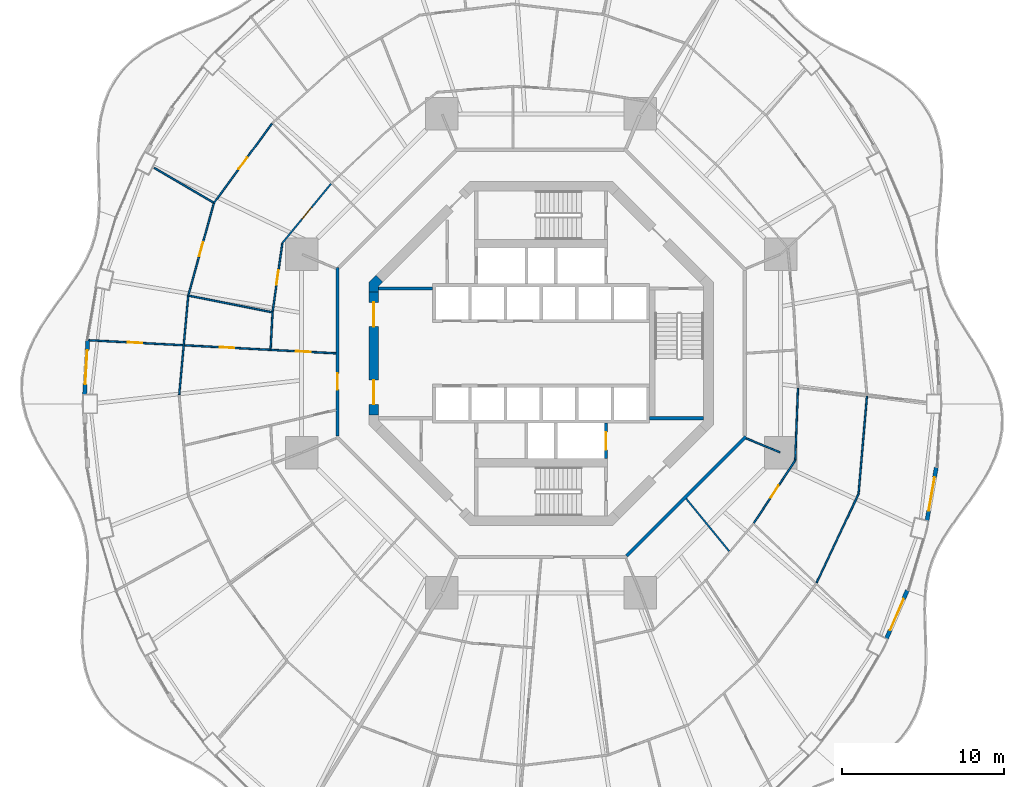
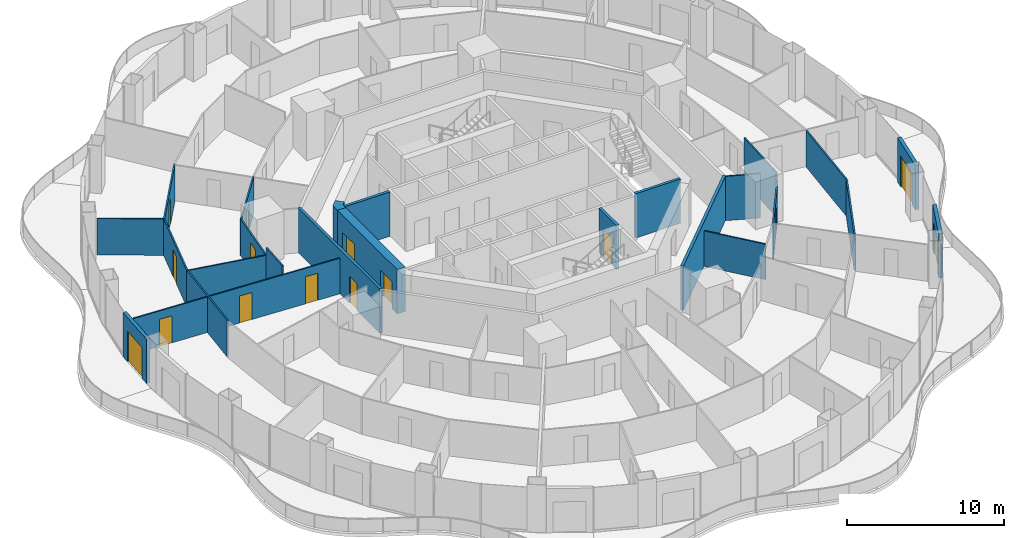
# One storey, part 13 of 19: 25 walls, 15 doors, 15 openings.
"""IFC4 building model written with IfcOpenShell, lengths in metres."""

from ifc_helpers import new_model, si_unit, direction, frame, frame_2d, origin, place, context, subcontext, project, spatial, polyline, rectangle, outline, extrude, material, layer, layer_set, type_object, element, fill, save


model = new_model("IFC4")

# Units and contexts
model_context = context("Model", 3, precision=1e-05, world=origin(), true_north=direction((0.0, 1.0)))
body_context = subcontext(model_context, "Body", "Model", "MODEL_VIEW")
ifc_project = project(units=[si_unit("LENGTHUNIT", "METRE"), si_unit("AREAUNIT", "SQUARE_METRE"), si_unit("VOLUMEUNIT", "CUBIC_METRE"), si_unit("PLANEANGLEUNIT", "RADIAN"), si_unit("MASSUNIT", "GRAM", prefix="KILO")], contexts=[model_context])

# Site, building, storey
site_placement = place(None, origin())
site = spatial("IfcSite", under=ifc_project, at=site_placement, CompositionType="ELEMENT")
building_placement = place(site_placement, origin())
building = spatial("IfcBuilding", under=site, at=building_placement, Name="Nagisa Residences", CompositionType="ELEMENT")
storey_placement = place(building_placement, frame((0.0, 0.0, 149.199951171875)))
storey = spatial("IfcBuildingStorey", under=building, at=storey_placement, Name="L37", CompositionType="ELEMENT", Elevation=149.199951171875)

# Wall, opening, door
ifc_material_1 = material(Name="Gypsum board on steel studs", Category="steel")
ifc_layer_1 = layer(ifc_material_1, 0.199951171875)
ifc_layer_set_1 = layer_set([ifc_layer_1], Name="Apartment entry wall EI60 200")
wall_type_1 = type_object("IfcWallType", Name="Apartment entry wall EI60 200", PredefinedType="PARTITIONING", material=ifc_layer_set_1)
wall_1_placement = place(storey_placement, frame((-12.564697265625, 5.304443359375, 0.0), z_axis=(0.0, 0.0, 1.0), x_axis=(0.0, -1.0, 0.0)))
wall_1 = element("IfcWall", 1, at=wall_1_placement, inside=storey, type_object=wall_type_1, Name="wall:L37:u08", PredefinedType="PARTITIONING", context=body_context, shape_type="SweptSolid", body=[
    extrude(rectangle(XDim=10.408935546875, YDim=0.199951171875, at=frame_2d((5.20458984375, 0.0))), origin(), (0.0, 0.0, 1.0), 3.43994140625),
])
opening_1_placement = place(wall_1_placement, frame((6.539306640625, 0.0, 0.0)))
opening_1 = element("IfcOpeningElement", 2, at=opening_1_placement, cuts=wall_1, Name="Opening L37-U25", PredefinedType="OPENING", context=body_context, shape_type="SweptSolid", body=[
    extrude(rectangle(XDim=1.0, YDim=2.10009765625, at=frame_2d((0.5, 1.050048828125))), frame((0.0, 0.10986328125, 0.0), z_axis=(0.0, -1.0, 0.0), x_axis=(1.0, 0.0, 0.0)), (0.0, 0.0, 1.0), 0.219970703125),
])
ifc_material_2 = material(Name="Timber fire door set", Category="wood")
door_type_1 = type_object("IfcDoorType", Name="Apartment entry door FD30S 1000x2100", OperationType="NOTDEFINED", PredefinedType="DOOR", material=ifc_material_2)
door_1_placement = place(opening_1_placement, frame((1.0, 0.0, 0.0), x_axis=(-1.0, 0.0, 0.0)))
door_1 = element("IfcDoor", 3, at=door_1_placement, inside=storey, type_object=door_type_1, Name="Entry door, Apartment 37B", OperationType="SINGLE_SWING_RIGHT", OverallHeight=2.10009765625, OverallWidth=1.0, PredefinedType="DOOR", context=body_context, shape_type="SweptSolid", body=[
    extrude(rectangle(XDim=1.0, YDim=2.10009765625, at=frame_2d((0.5, 1.050048828125))), frame((0.0, 0.02490234375, 0.0), z_axis=(0.0, -1.0, 0.0), x_axis=(1.0, 0.0, 0.0)), (0.0, 0.0, 1.0), 0.050048828125),
])
fill(opening_1, door_1)

# Walls
wall_2_placement = place(storey_placement, frame((5.275146484375, -12.494140625, 0.0), z_axis=(0.0, 0.0, 1.0), x_axis=(0.707106781187, 0.707106781187, 0.0)))
element("IfcWall", 4, at=wall_2_placement, inside=storey, type_object=wall_type_1, Name="wall:L37:u11", PredefinedType="PARTITIONING", context=body_context, shape_type="SweptSolid", body=[
    extrude(rectangle(XDim=10.4091796875, YDim=0.199951171875, at=frame_2d((5.20458984375, 0.0))), origin(), (0.0, 0.0, 1.0), 3.43994140625),
])
ifc_material_3 = material(Name="Gypsum board on steel studs", Category="steel")
ifc_layer_2 = layer(ifc_material_3, 0.10009765625)
ifc_layer_set_2 = layer_set([ifc_layer_2], Name="Apartment partition 100")
wall_type_2 = type_object("IfcWallType", Name="Apartment partition 100", PredefinedType="PARTITIONING", material=ifc_layer_set_2)
wall_3_placement = place(storey_placement, frame((15.848876953125, -2.158203125, 0.0), z_axis=(0.0, 0.0, 1.0), x_axis=(-0.038390448414, -0.999262815014, 0.0)))
element("IfcWall", 5, at=wall_3_placement, inside=storey, type_object=wall_type_2, Name="wall:L37:u14", PredefinedType="PARTITIONING", context=body_context, shape_type="SweptSolid", body=[
    extrude(rectangle(XDim=4.394287109375, YDim=0.10009765625, at=frame_2d((2.197265625, 0.0))), origin(), (0.0, 0.0, 1.0), 3.43994140625),
])
wall_4_placement = place(storey_placement, frame((20.10595703125, -2.64208984375, 0.0), z_axis=(0.0, 0.0, 1.0), x_axis=(-0.085672025822, -0.996323393277, 0.0)))
element("IfcWall", 6, at=wall_4_placement, inside=storey, type_object=wall_type_2, Name="wall:L37:u16", PredefinedType="PARTITIONING", context=body_context, shape_type="SweptSolid", body=[
    extrude(rectangle(XDim=6.007080078125, YDim=0.10009765625, at=frame_2d((3.00341796875, 0.0))), origin(), (0.0, 0.0, 1.0), 2.828125),
])

# Wall, opening, door
wall_5_placement = place(storey_placement, frame((-12.965087890625, 10.474609375, 0.0), z_axis=(0.0, 0.0, 1.0), x_axis=(-0.634932102074, -0.772567942485, 0.0)))
wall_5 = element("IfcWall", 7, at=wall_5_placement, inside=storey, type_object=wall_type_2, Name="wall:L37:u46", PredefinedType="PARTITIONING", context=body_context, shape_type="SweptSolid", body=[
    extrude(rectangle(XDim=4.7822265625, YDim=0.10009765625, at=frame_2d((2.39111328125, 0.0))), origin(), (0.0, 0.0, 1.0), 2.828125),
])
opening_2_placement = place(wall_5_placement, frame((1.916015625, 0.0, 0.0)))
opening_2 = element("IfcOpeningElement", 8, at=opening_2_placement, cuts=wall_5, Name="Opening L37-U37", PredefinedType="OPENING", context=body_context, shape_type="SweptSolid", body=[
    extrude(rectangle(XDim=0.89990234375, YDim=2.10009765625, at=frame_2d((0.449951171875, 1.050048828125))), frame((0.0, 0.06005859375, 0.0), z_axis=(0.0, -1.0, 0.0), x_axis=(1.0, 0.0, 0.0)), (0.0, 0.0, 1.0), 0.1201171875),
])
ifc_material_4 = material(Name="Timber door set", Category="wood")
door_type_2 = type_object("IfcDoorType", Name="Apartment door 900x2100", OperationType="NOTDEFINED", PredefinedType="DOOR", material=ifc_material_4)
door_2_placement = place(opening_2_placement, origin())
door_2 = element("IfcDoor", 9, at=door_2_placement, inside=storey, type_object=door_type_2, Name="Door to store, Apartment 37B", OperationType="SINGLE_SWING_LEFT", OverallHeight=2.10009765625, OverallWidth=0.89990234375, PredefinedType="DOOR", context=body_context, shape_type="SweptSolid", body=[
    extrude(rectangle(XDim=0.89990234375, YDim=2.10009765625, at=frame_2d((0.449951171875, 1.050048828125))), frame((0.0, 0.02490234375, 0.0), z_axis=(0.0, -1.0, 0.0), x_axis=(1.0, 0.0, 0.0)), (0.0, 0.0, 1.0), 0.050048828125),
])
fill(opening_2, door_2)

wall_6_placement = place(storey_placement, frame((-16.620849609375, 14.17431640625, 0.0), z_axis=(0.0, 0.0, 1.0), x_axis=(-0.590672767272, -0.806911198338, 0.0)))
wall_6 = element("IfcWall", 10, at=wall_6_placement, inside=storey, type_object=wall_type_2, Name="wall:L37:u47", PredefinedType="PARTITIONING", context=body_context, shape_type="SweptSolid", body=[
    extrude(rectangle(XDim=6.09912109375, YDim=0.10009765625, at=frame_2d((3.049560546875, 0.0))), origin(), (0.0, 0.0, 1.0), 2.828125),
])
opening_3_placement = place(wall_6_placement, frame((2.574462890625, 0.0, 0.0)))
opening_3 = element("IfcOpeningElement", 11, at=opening_3_placement, cuts=wall_6, Name="Opening L37-U32", PredefinedType="OPENING", context=body_context, shape_type="SweptSolid", body=[
    extrude(rectangle(XDim=0.89990234375, YDim=2.10009765625, at=frame_2d((0.449951171875, 1.050048828125))), frame((0.0, 0.06005859375, 0.0), z_axis=(0.0, -1.0, 0.0), x_axis=(1.0, 0.0, 0.0)), (0.0, 0.0, 1.0), 0.1201171875),
])
door_3_placement = place(opening_3_placement, frame((0.89990234375, 0.0, 0.0), x_axis=(-1.0, 0.0, 0.0)))
door_3 = element("IfcDoor", 12, at=door_3_placement, inside=storey, type_object=door_type_2, Name="Door to master bedroom, Apartment 37B", OperationType="SINGLE_SWING_LEFT", OverallHeight=2.10009765625, OverallWidth=0.89990234375, PredefinedType="DOOR", context=body_context, shape_type="SweptSolid", body=[
    extrude(rectangle(XDim=0.89990234375, YDim=2.10009765625, at=frame_2d((0.449951171875, 1.050048828125))), frame((0.0, 0.02490234375, 0.0), z_axis=(0.0, -1.0, 0.0), x_axis=(1.0, 0.0, 0.0)), (0.0, 0.0, 1.0), 0.050048828125),
])
fill(opening_3, door_3)

wall_7_placement = place(storey_placement, frame((-15.976806640625, 6.769287109375, 0.0), z_axis=(0.0, 0.0, 1.0), x_axis=(-0.140693592547, -0.990053186963, 0.0)))
wall_7 = element("IfcWall", 13, at=wall_7_placement, inside=storey, type_object=wall_type_2, Name="wall:L37:u49", PredefinedType="PARTITIONING", context=body_context, shape_type="SweptSolid", body=[
    extrude(rectangle(XDim=4.22705078125, YDim=0.10009765625, at=frame_2d((2.113525390625, 0.0))), origin(), (0.0, 0.0, 1.0), 2.828125),
])
opening_4_placement = place(wall_7_placement, frame((1.66357421875, 0.0, 0.0)))
opening_4 = element("IfcOpeningElement", 14, at=opening_4_placement, cuts=wall_7, Name="Opening L37-U28", PredefinedType="OPENING", context=body_context, shape_type="SweptSolid", body=[
    extrude(rectangle(XDim=0.89990234375, YDim=2.10009765625, at=frame_2d((0.449951171875, 1.050048828125))), frame((0.0, 0.06005859375, 0.0), z_axis=(0.0, -1.0, 0.0), x_axis=(1.0, 0.0, 0.0)), (0.0, 0.0, 1.0), 0.1201171875),
])
door_4_placement = place(opening_4_placement, frame((0.89990234375, 0.0, 0.0), x_axis=(-1.0, 0.0, 0.0)))
door_4 = element("IfcDoor", 15, at=door_4_placement, inside=storey, type_object=door_type_2, Name="Door to family room, Apartment 37B", OperationType="SINGLE_SWING_LEFT", OverallHeight=2.10009765625, OverallWidth=0.89990234375, PredefinedType="DOOR", context=body_context, shape_type="SweptSolid", body=[
    extrude(rectangle(XDim=0.89990234375, YDim=2.10009765625, at=frame_2d((0.449951171875, 1.050048828125))), frame((0.0, 0.02490234375, 0.0), z_axis=(0.0, -1.0, 0.0), x_axis=(1.0, 0.0, 0.0)), (0.0, 0.0, 1.0), 0.050048828125),
])
fill(opening_4, door_4)

# Wall
wall_8_placement = place(storey_placement, frame((-20.237060546875, 9.318603515625, 0.0), z_axis=(0.0, 0.0, 1.0), x_axis=(-0.862867843769, 0.505429603593, 0.0)))
element("IfcWall", 16, at=wall_8_placement, inside=storey, type_object=wall_type_2, Name="wall:L37:u50", PredefinedType="PARTITIONING", context=body_context, shape_type="SweptSolid", body=[
    extrude(rectangle(XDim=4.215087890625, YDim=0.10009765625, at=frame_2d((2.107421875, 0.0))), origin(), (0.0, 0.0, 1.0), 2.828125),
])

# Wall, opening, door
wall_9_placement = place(storey_placement, frame((-20.207275390625, 9.2451171875, 0.0), z_axis=(0.0, 0.0, 1.0), x_axis=(-0.267400122135, -0.963585582438, 0.0)))
wall_9 = element("IfcWall", 17, at=wall_9_placement, inside=storey, type_object=wall_type_2, Name="wall:L37:u51", PredefinedType="PARTITIONING", context=body_context, shape_type="SweptSolid", body=[
    extrude(rectangle(XDim=5.837890625, YDim=0.10009765625, at=frame_2d((2.9189453125, 0.0))), origin(), (0.0, 0.0, 1.0), 2.828125),
])
opening_5_placement = place(wall_9_placement, frame((2.468994140625, 0.0, 0.0)))
opening_5 = element("IfcOpeningElement", 18, at=opening_5_placement, cuts=wall_9, Name="Opening L37-U33", PredefinedType="OPENING", context=body_context, shape_type="SweptSolid", body=[
    extrude(rectangle(XDim=0.89990234375, YDim=2.10009765625, at=frame_2d((0.449951171875, 1.050048828125))), frame((0.0, 0.06005859375, 0.0), z_axis=(0.0, -1.0, 0.0), x_axis=(1.0, 0.0, 0.0)), (0.0, 0.0, 1.0), 0.1201171875),
])
door_5_placement = place(opening_5_placement, frame((0.89990234375, 0.0, 0.0), x_axis=(-1.0, 0.0, 0.0)))
door_5 = element("IfcDoor", 19, at=door_5_placement, inside=storey, type_object=door_type_2, Name="Door to dining room, Apartment 37B", OperationType="SINGLE_SWING_RIGHT", OverallHeight=2.10009765625, OverallWidth=0.89990234375, PredefinedType="DOOR", context=body_context, shape_type="SweptSolid", body=[
    extrude(rectangle(XDim=0.89990234375, YDim=2.10009765625, at=frame_2d((0.449951171875, 1.050048828125))), frame((0.0, 0.02490234375, 0.0), z_axis=(0.0, -1.0, 0.0), x_axis=(1.0, 0.0, 0.0)), (0.0, 0.0, 1.0), 0.050048828125),
])
fill(opening_5, door_5)

# Walls
wall_10_placement = place(storey_placement, frame((-16.529541015625, 2.52490234375, 0.0), z_axis=(0.0, 0.0, 1.0), x_axis=(-0.980716720387, 0.195434680531, 0.0)))
element("IfcWall", 20, at=wall_10_placement, inside=storey, type_object=wall_type_2, Name="wall:L37:u52", PredefinedType="PARTITIONING", context=body_context, shape_type="SweptSolid", body=[
    extrude(rectangle(XDim=5.305419921875, YDim=0.10009765625, at=frame_2d((2.65283203125, 0.0))), origin(), (0.0, 0.0, 1.0), 2.828125),
])
wall_11_placement = place(storey_placement, frame((-16.581298828125, 2.48486328125, 0.0), z_axis=(0.0, 0.0, 1.0), x_axis=(-0.052455156936, -0.998623280577, 0.0)))
element("IfcWall", 21, at=wall_11_placement, inside=storey, type_object=wall_type_2, Name="wall:L37:u53", PredefinedType="PARTITIONING", context=body_context, shape_type="SweptSolid", body=[
    extrude(rectangle(XDim=2.224853515625, YDim=0.10009765625, at=frame_2d((1.1123046875, 0.0))), origin(), (0.0, 0.0, 1.0), 3.43994140625),
])
wall_12_placement = place(storey_placement, frame((-21.777099609375, 3.621337890625, 0.0), z_axis=(0.0, 0.0, 1.0), x_axis=(-0.090606877484, -0.995886737412, 0.0)))
element("IfcWall", 22, at=wall_12_placement, inside=storey, type_object=wall_type_2, Name="wall:L37:u54", PredefinedType="PARTITIONING", context=body_context, shape_type="SweptSolid", body=[
    extrude(rectangle(XDim=6.189208984375, YDim=0.10009765625, at=frame_2d((3.0947265625, 0.0))), origin(), (0.0, 0.0, 1.0), 2.828125),
])

# Wall, openings, doors
wall_13_placement = place(storey_placement, frame((-12.66455078125, 0.00537109375, 0.0), z_axis=(0.0, 0.0, 1.0), x_axis=(-0.998599229025, 0.052911055468, 0.0)))
wall_13 = element("IfcWall", 23, at=wall_13_placement, inside=storey, type_object=wall_type_2, Name="wall:L37:u55", PredefinedType="PARTITIONING", context=body_context, shape_type="SweptSolid", body=[
    extrude(rectangle(XDim=15.42529296875, YDim=0.10009765625, at=frame_2d((7.712646484375, 0.0))), origin(), (0.0, 0.0, 1.0), 2.756103515625),
])
opening_6_placement = place(wall_13_placement, frame((1.57080078125, 0.0, 0.0)))
opening_6 = element("IfcOpeningElement", 24, at=opening_6_placement, cuts=wall_13, Name="Opening L37-U26", PredefinedType="OPENING", context=body_context, shape_type="SweptSolid", body=[
    extrude(rectangle(XDim=0.89990234375, YDim=2.10009765625, at=frame_2d((0.449951171875, 1.050048828125))), frame((0.0, 0.06005859375, 0.0), z_axis=(0.0, -1.0, 0.0), x_axis=(1.0, 0.0, 0.0)), (0.0, 0.0, 1.0), 0.1201171875),
])
opening_7_placement = place(wall_13_placement, frame((6.275634765625, 0.0, 0.0)))
opening_7 = element("IfcOpeningElement", 25, at=opening_7_placement, cuts=wall_13, Name="Opening L37-U29", PredefinedType="OPENING", context=body_context, shape_type="SweptSolid", body=[
    extrude(rectangle(XDim=0.89990234375, YDim=2.10009765625, at=frame_2d((0.449951171875, 1.050048828125))), frame((0.0, 0.06005859375, 0.0), z_axis=(0.0, -1.0, 0.0), x_axis=(1.0, 0.0, 0.0)), (0.0, 0.0, 1.0), 0.1201171875),
])
opening_8_placement = place(wall_13_placement, frame((11.96728515625, 0.0, 0.0)))
opening_8 = element("IfcOpeningElement", 26, at=opening_8_placement, cuts=wall_13, Name="Opening L37-U34", PredefinedType="OPENING", context=body_context, shape_type="SweptSolid", body=[
    extrude(rectangle(XDim=0.89990234375, YDim=2.10009765625, at=frame_2d((0.449951171875, 1.050048828125))), frame((0.0, 0.06005859375, 0.0), z_axis=(0.0, -1.0, 0.0), x_axis=(1.0, 0.0, 0.0)), (0.0, 0.0, 1.0), 0.1201171875),
])
door_6_placement = place(opening_6_placement, frame((0.89990234375, 0.0, 0.0), x_axis=(-1.0, 0.0, 0.0)))
door_6 = element("IfcDoor", 27, at=door_6_placement, inside=storey, type_object=door_type_2, Name="Door to laundry, Apartment 37B", OperationType="SINGLE_SWING_LEFT", OverallHeight=2.10009765625, OverallWidth=0.89990234375, PredefinedType="DOOR", context=body_context, shape_type="SweptSolid", body=[
    extrude(rectangle(XDim=0.89990234375, YDim=2.10009765625, at=frame_2d((0.449951171875, 1.050048828125))), frame((0.0, 0.02490234375, 0.0), z_axis=(0.0, -1.0, 0.0), x_axis=(1.0, 0.0, 0.0)), (0.0, 0.0, 1.0), 0.050048828125),
])
fill(opening_6, door_6)
door_7_placement = place(opening_7_placement, frame((0.89990234375, 0.0, 0.0), x_axis=(-1.0, 0.0, 0.0)))
door_7 = element("IfcDoor", 28, at=door_7_placement, inside=storey, type_object=door_type_2, Name="Door to family bathroom, Apartment 37B", OperationType="SINGLE_SWING_RIGHT", OverallHeight=2.10009765625, OverallWidth=0.89990234375, PredefinedType="DOOR", context=body_context, shape_type="SweptSolid", body=[
    extrude(rectangle(XDim=0.89990234375, YDim=2.10009765625, at=frame_2d((0.449951171875, 1.050048828125))), frame((0.0, 0.02490234375, 0.0), z_axis=(0.0, -1.0, 0.0), x_axis=(1.0, 0.0, 0.0)), (0.0, 0.0, 1.0), 0.050048828125),
])
fill(opening_7, door_7)
door_8_placement = place(opening_8_placement, origin())
door_8 = element("IfcDoor", 29, at=door_8_placement, inside=storey, type_object=door_type_2, Name="Door to family room, Apartment 37B", OperationType="SINGLE_SWING_RIGHT", OverallHeight=2.10009765625, OverallWidth=0.89990234375, PredefinedType="DOOR", context=body_context, shape_type="SweptSolid", body=[
    extrude(rectangle(XDim=0.89990234375, YDim=2.10009765625, at=frame_2d((0.449951171875, 1.050048828125))), frame((0.0, 0.02490234375, 0.0), z_axis=(0.0, -1.0, 0.0), x_axis=(1.0, 0.0, 0.0)), (0.0, 0.0, 1.0), 0.050048828125),
])
fill(opening_8, door_8)

# Wall
wall_14_placement = place(storey_placement, frame((8.947998046875, -8.962158203125, 0.0), z_axis=(0.0, 0.0, 1.0), x_axis=(0.633041272858, -0.774118044524, 0.0)))
element("IfcWall", 30, at=wall_14_placement, inside=storey, type_object=wall_type_2, Name="wall:L37:u91", PredefinedType="PARTITIONING", context=body_context, shape_type="SweptSolid", body=[
    extrude(rectangle(XDim=4.19482421875, YDim=0.10009765625, at=frame_2d((2.097412109375, 0.0))), origin(), (0.0, 0.0, 1.0), 2.756103515625),
])

# Wall, opening, door
wall_15_placement = place(storey_placement, frame((13.12744140625, -10.466552734375, 0.0), z_axis=(0.0, 0.0, 1.0), x_axis=(0.550614843759, 0.834759422727, 0.0)))
wall_15 = element("IfcWall", 31, at=wall_15_placement, inside=storey, type_object=wall_type_2, Name="wall:L37:u93", PredefinedType="PARTITIONING", context=body_context, shape_type="SweptSolid", body=[
    extrude(rectangle(XDim=4.6826171875, YDim=0.10009765625, at=frame_2d((2.34130859375, 0.0))), origin(), (0.0, 0.0, 1.0), 2.828125),
])
opening_9_placement = place(wall_15_placement, frame((1.866455078125, 0.0, 0.0)))
opening_9 = element("IfcOpeningElement", 32, at=opening_9_placement, cuts=wall_15, Name="Opening L37-U21", PredefinedType="OPENING", context=body_context, shape_type="SweptSolid", body=[
    extrude(rectangle(XDim=0.89990234375, YDim=2.10009765625, at=frame_2d((0.449951171875, 1.050048828125))), frame((0.0, 0.06005859375, 0.0), z_axis=(0.0, -1.0, 0.0), x_axis=(1.0, 0.0, 0.0)), (0.0, 0.0, 1.0), 0.1201171875),
])
door_9_placement = place(opening_9_placement, origin())
door_9 = element("IfcDoor", 33, at=door_9_placement, inside=storey, type_object=door_type_2, Name="Door to laundry, Apartment 37A", OperationType="SINGLE_SWING_LEFT", OverallHeight=2.10009765625, OverallWidth=0.89990234375, PredefinedType="DOOR", context=body_context, shape_type="SweptSolid", body=[
    extrude(rectangle(XDim=0.89990234375, YDim=2.10009765625, at=frame_2d((0.449951171875, 1.050048828125))), frame((0.0, 0.02490234375, 0.0), z_axis=(0.0, -1.0, 0.0), x_axis=(1.0, 0.0, 0.0)), (0.0, 0.0, 1.0), 0.050048828125),
])
fill(opening_9, door_9)

# Walls
wall_16_placement = place(storey_placement, frame((16.995361328125, -14.158203125, 0.0), z_axis=(0.0, 0.0, 1.0), x_axis=(0.427456178439, 0.904036069808, 0.0)))
element("IfcWall", 34, at=wall_16_placement, inside=storey, type_object=wall_type_2, Name="wall:L37:u94", PredefinedType="PARTITIONING", context=body_context, shape_type="SweptSolid", body=[
    extrude(rectangle(XDim=6.113037109375, YDim=0.10009765625, at=frame_2d((3.056640625, 0.0))), origin(), (0.0, 0.0, 1.0), 2.828125),
])
wall_17_placement = place(storey_placement, frame((12.6572265625, -5.24267578125, 0.0), z_axis=(0.0, 0.0, 1.0), x_axis=(0.923864733477, -0.382719158442, 0.0)))
element("IfcWall", 35, at=wall_17_placement, inside=storey, type_object=wall_type_2, Name="wall:L37:u95", PredefinedType="PARTITIONING", context=body_context, shape_type="SweptSolid", body=[
    extrude(rectangle(XDim=2.25, YDim=0.10009765625, at=frame_2d((1.125, 0.0))), origin(), (0.0, 0.0, 1.0), 3.43994140625),
])

# Wall, opening, door
ifc_material_5 = material(Name="Precast concrete C40/50", Category="concrete")
ifc_layer_3 = layer(ifc_material_5, 0.25)
ifc_layer_set_3 = layer_set([ifc_layer_3], Name="BALCONY DOOR WALL 250")
wall_type_3 = type_object("IfcWallType", Name="BALCONY DOOR WALL 250", PredefinedType="SOLIDWALL", material=ifc_layer_set_3)
wall_18_placement = place(storey_placement, frame((-28.17578125, -2.52587890625, 0.0), z_axis=(0.0, 0.0, 1.0), x_axis=(0.057537829427, 0.998343326809, 0.0)))
wall_18 = element("IfcWall", 36, at=wall_18_placement, inside=storey, type_object=wall_type_3, Name="wall:L37:bay23", PredefinedType="SOLIDWALL", context=body_context, shape_type="SweptSolid", body=[
    extrude(rectangle(XDim=3.347900390625, YDim=0.25, at=frame_2d((1.673828125, 0.0))), origin(), (0.0, 0.0, 1.0), 3.43994140625),
])
opening_10_placement = place(wall_18_placement, frame((0.623779296875, 0.0, 0.0)))
opening_10 = element("IfcOpeningElement", 37, at=opening_10_placement, cuts=wall_18, Name="Opening BD-L37-08", PredefinedType="OPENING", context=body_context, shape_type="SweptSolid", body=[
    extrude(rectangle(XDim=2.10009765625, YDim=2.39990234375, at=frame_2d((1.050048828125, 1.199951171875))), frame((0.0, 0.135009765625, 0.0), z_axis=(0.0, -1.0, 0.0), x_axis=(1.0, 0.0, 0.0)), (0.0, 0.0, 1.0), 0.27001953125),
])
ifc_material_6 = material(Name="Aluminium and clear glass", Category="aluminium")
door_type_3 = type_object("IfcDoorType", Name="BALCONY SLIDING DOOR 2100x2400", OperationType="SLIDING_TO_LEFT", PredefinedType="DOOR", material=ifc_material_6)
door_10_placement = place(opening_10_placement, origin())
door_10 = element("IfcDoor", 38, at=door_10_placement, inside=storey, type_object=door_type_3, Name="door:L37:bay23", OperationType="SLIDING_TO_LEFT", OverallHeight=2.39990234375, OverallWidth=2.10009765625, PredefinedType="DOOR", context=body_context, shape_type="SweptSolid", body=[
    extrude(rectangle(XDim=2.10009765625, YDim=2.39990234375, at=frame_2d((1.050048828125, 1.199951171875))), frame((0.0, 0.02490234375, 0.0), z_axis=(0.0, -1.0, 0.0), x_axis=(1.0, 0.0, 0.0)), (0.0, 0.0, 1.0), 0.050048828125),
])
fill(opening_10, door_10)

wall_19_placement = place(storey_placement, frame((22.600341796875, -14.623046875, 0.0), z_axis=(0.0, 0.0, 1.0), x_axis=(-0.397575919276, -0.917569282622, 0.0)))
wall_19 = element("IfcWall", 39, at=wall_19_placement, inside=storey, type_object=wall_type_3, Name="wall:L37:bay44", PredefinedType="SOLIDWALL", context=body_context, shape_type="SweptSolid", body=[
    extrude(rectangle(XDim=3.2607421875, YDim=0.25, at=frame_2d((1.63037109375, 0.0))), origin(), (0.0, 0.0, 1.0), 3.43994140625),
])
opening_11_placement = place(wall_19_placement, frame((0.580322265625, 0.0, 0.0)))
opening_11 = element("IfcOpeningElement", 40, at=opening_11_placement, cuts=wall_19, Name="Opening BD-L37-15", PredefinedType="OPENING", context=body_context, shape_type="SweptSolid", body=[
    extrude(rectangle(XDim=2.10009765625, YDim=2.39990234375, at=frame_2d((1.050048828125, 1.199951171875))), frame((0.0, 0.135009765625, 0.0), z_axis=(0.0, -1.0, 0.0), x_axis=(1.0, 0.0, 0.0)), (0.0, 0.0, 1.0), 0.27001953125),
])
door_11_placement = place(opening_11_placement, origin())
door_11 = element("IfcDoor", 41, at=door_11_placement, inside=storey, type_object=door_type_3, Name="door:L37:bay44", OperationType="SLIDING_TO_LEFT", OverallHeight=2.39990234375, OverallWidth=2.10009765625, PredefinedType="DOOR", context=body_context, shape_type="SweptSolid", body=[
    extrude(rectangle(XDim=2.10009765625, YDim=2.39990234375, at=frame_2d((1.050048828125, 1.199951171875))), frame((0.0, 0.02490234375, 0.0), z_axis=(0.0, -1.0, 0.0), x_axis=(1.0, 0.0, 0.0)), (0.0, 0.0, 1.0), 0.050048828125),
])
fill(opening_11, door_11)

wall_20_placement = place(storey_placement, frame((24.384765625, -7.037353515625, 0.0), z_axis=(0.0, 0.0, 1.0), x_axis=(-0.172163521006, -0.985068384446, 0.0)))
wall_20 = element("IfcWall", 42, at=wall_20_placement, inside=storey, type_object=wall_type_3, Name="wall:L37:bay46", PredefinedType="SOLIDWALL", context=body_context, shape_type="SweptSolid", body=[
    extrude(rectangle(XDim=3.33251953125, YDim=0.25, at=frame_2d((1.666259765625, 0.0))), origin(), (0.0, 0.0, 1.0), 3.43994140625),
])
opening_12_placement = place(wall_20_placement, frame((0.6162109375, 0.0, 0.0)))
opening_12 = element("IfcOpeningElement", 43, at=opening_12_placement, cuts=wall_20, Name="Opening BD-L37-16", PredefinedType="OPENING", context=body_context, shape_type="SweptSolid", body=[
    extrude(rectangle(XDim=2.10009765625, YDim=2.39990234375, at=frame_2d((1.050048828125, 1.199951171875))), frame((0.0, 0.135009765625, 0.0), z_axis=(0.0, -1.0, 0.0), x_axis=(1.0, 0.0, 0.0)), (0.0, 0.0, 1.0), 0.27001953125),
])
door_12_placement = place(opening_12_placement, origin())
door_12 = element("IfcDoor", 44, at=door_12_placement, inside=storey, type_object=door_type_3, Name="door:L37:bay46", OperationType="SLIDING_TO_LEFT", OverallHeight=2.39990234375, OverallWidth=2.10009765625, PredefinedType="DOOR", context=body_context, shape_type="SweptSolid", body=[
    extrude(rectangle(XDim=2.10009765625, YDim=2.39990234375, at=frame_2d((1.050048828125, 1.199951171875))), frame((0.0, 0.02490234375, 0.0), z_axis=(0.0, -1.0, 0.0), x_axis=(1.0, 0.0, 0.0)), (0.0, 0.0, 1.0), 0.050048828125),
])
fill(opening_12, door_12)

# Wall
ifc_material_7 = material(Name="Gypsum board on steel studs", Category="steel")
ifc_layer_4 = layer(ifc_material_7, 0.199951171875)
ifc_layer_set_4 = layer_set([ifc_layer_4], Name="Core partition 200")
wall_type_4 = type_object("IfcWallType", Name="Core partition 200", PredefinedType="PARTITIONING", material=ifc_layer_set_4)
wall_21_placement = place(storey_placement, frame((-10.024658203125, 4.0, 0.0), z_axis=(0.0, 0.0, 1.0), x_axis=(1.0, 0.0, 0.0)))
element("IfcWall", 45, at=wall_21_placement, inside=storey, type_object=wall_type_4, Name="wall:L37:PNW", PredefinedType="PARTITIONING", context=body_context, shape_type="SweptSolid", body=[
    extrude(rectangle(XDim=3.32470703125, YDim=0.199951171875, at=frame_2d((1.662353515625, 0.0))), origin(), (0.0, 0.0, 1.0), 3.43994140625),
])

# Wall, openings, doors
ifc_material_8 = material(Name="Concrete C60", Category="concrete")
ifc_layer_5 = layer(ifc_material_8, 0.60009765625)
ifc_layer_set_5 = layer_set([ifc_layer_5], Name="Core shear wall 600")
wall_type_5 = type_object("IfcWallType", Name="Core shear wall 600", PredefinedType="SHEAR", material=ifc_layer_set_5)
wall_22_placement = place(storey_placement, frame((-10.32470703125, 3.80078125, 0.0), z_axis=(0.0, 0.0, 1.0), x_axis=(0.0, -1.0, 0.0)))
wall_22 = element("IfcWall", 46, at=wall_22_placement, inside=storey, type_object=wall_type_5, Name="wall:L37:core:flat4", PredefinedType="SHEAR", context=body_context, shape_type="SweptSolid", body=[
    extrude(rectangle(XDim=7.6015625, YDim=0.60009765625, at=frame_2d((3.80078125, 0.0))), origin(), (0.0, 0.0, 1.0), 3.43994140625),
])
opening_13_placement = place(wall_22_placement, frame((0.65087890625, 0.0, 0.0)))
opening_13 = element("IfcOpeningElement", 47, at=opening_13_placement, cuts=wall_22, Name="Opening L37-C17", PredefinedType="OPENING", context=body_context, shape_type="SweptSolid", body=[
    extrude(rectangle(XDim=1.5, YDim=2.10009765625, at=frame_2d((0.75, 1.050048828125))), frame((0.0, 0.31005859375, 0.0), z_axis=(0.0, -1.0, 0.0), x_axis=(1.0, 0.0, 0.0)), (0.0, 0.0, 1.0), 0.6201171875),
])
opening_14_placement = place(wall_22_placement, frame((5.450927734375, 0.0, 0.0)))
opening_14 = element("IfcOpeningElement", 48, at=opening_14_placement, cuts=wall_22, Name="Opening L37-C18", PredefinedType="OPENING", context=body_context, shape_type="SweptSolid", body=[
    extrude(rectangle(XDim=1.5, YDim=2.10009765625, at=frame_2d((0.75, 1.050048828125))), frame((0.0, 0.31005859375, 0.0), z_axis=(0.0, -1.0, 0.0), x_axis=(1.0, 0.0, 0.0)), (0.0, 0.0, 1.0), 0.6201171875),
])
ifc_material_9 = material(Name="Steel fire door", Category="steel")
door_type_4 = type_object("IfcDoorType", Name="Fire door EI60 1500x2100 double door single swing", OperationType="DOUBLE_DOOR_SINGLE_SWING", PredefinedType="DOOR", material=ifc_material_9)
door_13_placement = place(opening_13_placement, origin())
door_13 = element("IfcDoor", 49, at=door_13_placement, inside=storey, type_object=door_type_4, Name="Lift lobby door L37 1", OperationType="DOUBLE_DOOR_SINGLE_SWING", OverallHeight=2.10009765625, OverallWidth=1.5, PredefinedType="DOOR", context=body_context, shape_type="SweptSolid", body=[
    extrude(rectangle(XDim=1.5, YDim=2.10009765625, at=frame_2d((0.75, 1.050048828125))), frame((0.0, 0.02490234375, 0.0), z_axis=(0.0, -1.0, 0.0), x_axis=(1.0, 0.0, 0.0)), (0.0, 0.0, 1.0), 0.050048828125),
])
fill(opening_13, door_13)
door_14_placement = place(opening_14_placement, origin())
door_14 = element("IfcDoor", 50, at=door_14_placement, inside=storey, type_object=door_type_4, Name="Lift lobby door L37 2", OperationType="DOUBLE_DOOR_SINGLE_SWING", OverallHeight=2.10009765625, OverallWidth=1.5, PredefinedType="DOOR", context=body_context, shape_type="SweptSolid", body=[
    extrude(rectangle(XDim=1.5, YDim=2.10009765625, at=frame_2d((0.75, 1.050048828125))), frame((0.0, 0.02490234375, 0.0), z_axis=(0.0, -1.0, 0.0), x_axis=(1.0, 0.0, 0.0)), (0.0, 0.0, 1.0), 0.050048828125),
])
fill(opening_14, door_14)

# Wall
wall_23_placement = place(storey_placement, origin())
element("IfcWall", 51, at=wall_23_placement, inside=storey, type_object=wall_type_5, Name="wall:L37:core:pier3", PredefinedType="SHEAR", context=body_context, shape_type="SweptSolid", body=[
    extrude(outline(polyline([(-10.200439453125, 4.8251953125), (-9.776123046875, 4.40087890625), (-10.024658203125, 4.15234375), (-10.024658203125, 3.80078125), (-10.62451171875, 3.80078125), (-10.62451171875, 4.40087890625), (-10.200439453125, 4.8251953125)])), origin(), (0.0, 0.0, 1.0), 3.43994140625),
])

# Wall, opening, door
ifc_material_10 = material(Name="Concrete C60", Category="concrete")
ifc_layer_6 = layer(ifc_material_10, 0.199951171875)
ifc_layer_set_6 = layer_set([ifc_layer_6], Name="Lift shaft wall 200")
wall_type_6 = type_object("IfcWallType", Name="Lift shaft wall 200", PredefinedType="SOLIDWALL", material=ifc_layer_set_6)
wall_24_placement = place(storey_placement, frame((4.0, -6.5, 0.0), z_axis=(0.0, 0.0, 1.0), x_axis=(0.0, 1.0, 0.0)))
wall_24 = element("IfcWall", 52, at=wall_24_placement, inside=storey, type_object=wall_type_6, Name="wall:L37:Sb3", PredefinedType="SOLIDWALL", context=body_context, shape_type="SweptSolid", body=[
    extrude(rectangle(XDim=2.199951171875, YDim=0.199951171875, at=frame_2d((1.10009765625, 0.0))), origin(), (0.0, 0.0, 1.0), 3.43994140625),
])
opening_15_placement = place(wall_24_placement, frame((0.550048828125, 0.0, 0.0)))
opening_15 = element("IfcOpeningElement", 53, at=opening_15_placement, cuts=wall_24, Name="Opening L37-C07", PredefinedType="OPENING", context=body_context, shape_type="SweptSolid", body=[
    extrude(rectangle(XDim=1.10009765625, YDim=2.10009765625, at=frame_2d((0.550048828125, 1.050048828125))), frame((0.0, 0.10986328125, 0.0), z_axis=(0.0, -1.0, 0.0), x_axis=(1.0, 0.0, 0.0)), (0.0, 0.0, 1.0), 0.219970703125),
])
ifc_material_11 = material(Name="Stainless steel", Category="steel")
door_type_5 = type_object("IfcDoorType", Name="Lift landing door 1100x2100", OperationType="DOUBLE_DOOR_SLIDING", PredefinedType="DOOR", material=ifc_material_11)
door_15_placement = place(opening_15_placement, origin())
door_15 = element("IfcDoor", 54, at=door_15_placement, inside=storey, type_object=door_type_5, Name="Landing door FL2 L37", OperationType="DOUBLE_DOOR_SLIDING", OverallHeight=2.10009765625, OverallWidth=1.10009765625, PredefinedType="DOOR", context=body_context, shape_type="SweptSolid", body=[
    extrude(rectangle(XDim=1.10009765625, YDim=2.10009765625, at=frame_2d((0.550048828125, 1.050048828125))), frame((0.0, 0.02490234375, 0.0), z_axis=(0.0, -1.0, 0.0), x_axis=(1.0, 0.0, 0.0)), (0.0, 0.0, 1.0), 0.050048828125),
])
fill(opening_15, door_15)

# Wall
ifc_material_12 = material(Name="Concrete C60", Category="concrete")
ifc_layer_7 = layer(ifc_material_12, 0.199951171875)
ifc_layer_set_7 = layer_set([ifc_layer_7], Name="Stair enclosure wall 200")
wall_type_7 = type_object("IfcWallType", Name="Stair enclosure wall 200", PredefinedType="SOLIDWALL", material=ifc_layer_set_7)
wall_25_placement = place(storey_placement, origin())
element("IfcWall", 55, at=wall_25_placement, inside=storey, type_object=wall_type_7, Name="wall:L37:SE_s", PredefinedType="SOLIDWALL", context=body_context, shape_type="SweptSolid", body=[
    extrude(outline(polyline([(10.024658203125, -4.10009765625), (6.699951171875, -4.10009765625), (6.699951171875, -3.89990234375), (10.024658203125, -3.89990234375), (10.024658203125, -4.10009765625)])), origin(), (0.0, 0.0, 1.0), 3.43994140625),
])

save(model, "model.ifc")
